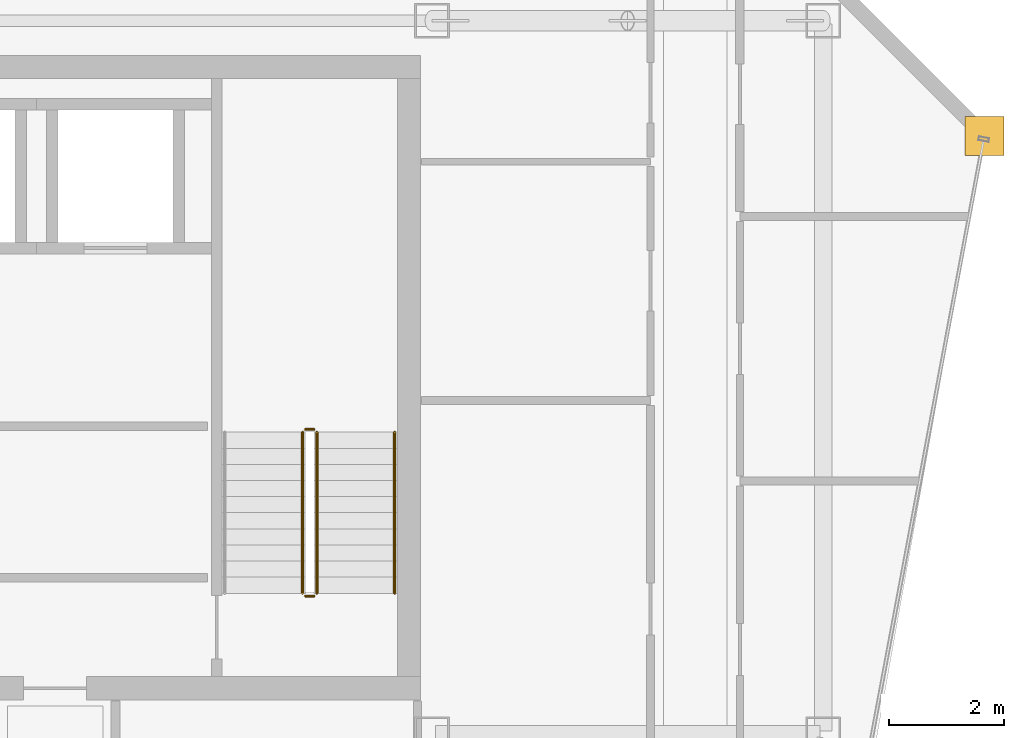
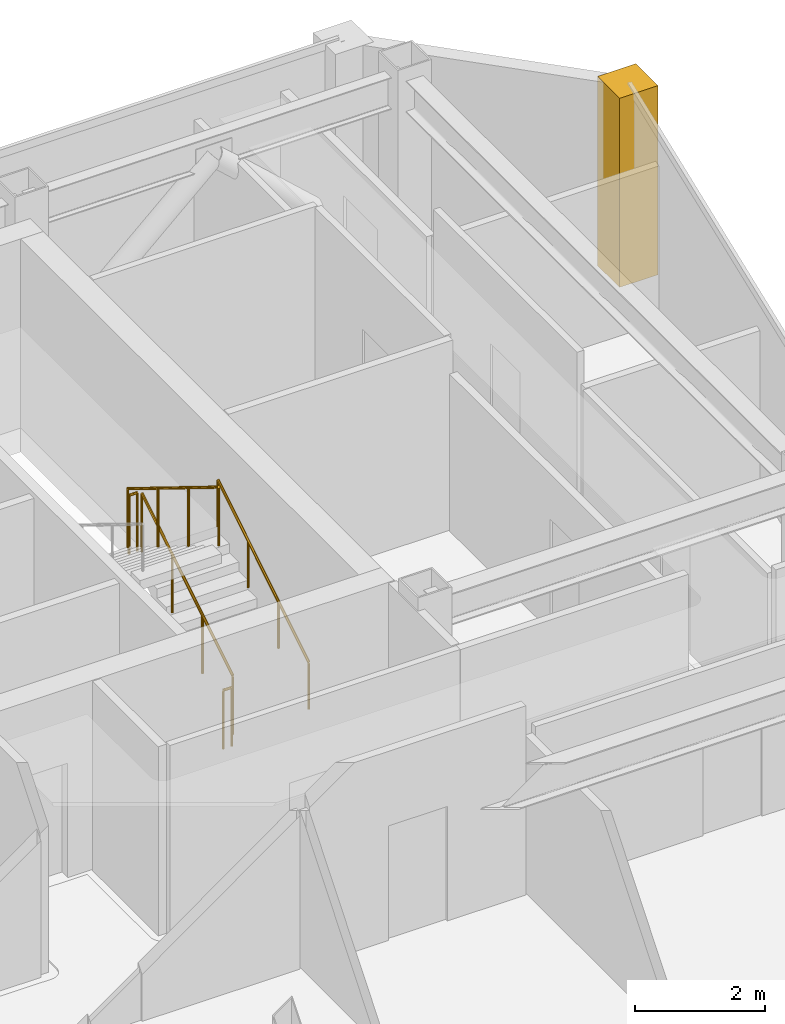
# One storey, part 24 of 25: 5 railings, 1 covering.
"""IFC4 building model written with IfcOpenShell, lengths in metres."""

from ifc_helpers import new_model, si_unit, direction, frame, origin, origin_2d, place, context, subcontext, project, spatial, polyline, circle, outline, extrude, material, layer, layer_set, type_object, element, save


model = new_model("IFC4")

# Units and contexts
model_context = context("Model", 3, precision=1e-05, world=origin(), true_north=direction((0.0, 1.0)))
body_context = subcontext(model_context, "Body", "Model", "MODEL_VIEW")
ifc_project = project(units=[si_unit("LENGTHUNIT", "METRE"), si_unit("AREAUNIT", "SQUARE_METRE"), si_unit("VOLUMEUNIT", "CUBIC_METRE"), si_unit("PLANEANGLEUNIT", "RADIAN"), si_unit("MASSUNIT", "GRAM", prefix="KILO")], contexts=[model_context])

# Site, building, storey
site_placement = place(None, origin())
site = spatial("IfcSite", under=ifc_project, at=site_placement, CompositionType="ELEMENT")
building_placement = place(site_placement, origin())
building = spatial("IfcBuilding", under=site, at=building_placement, Name="Saevonmaru Cultural Tower", CompositionType="ELEMENT")
storey_placement = place(building_placement, frame((0.0, 0.0, 276.199951171875)))
storey = spatial("IfcBuildingStorey", under=building, at=storey_placement, Name="L65", CompositionType="ELEMENT", Elevation=276.199951171875)

# Covering
ifc_material_1 = material(Name="Satin Bronze Anodised Aluminium", Category="aluminium")
ifc_layer = layer(ifc_material_1, 0.679931640625, Name="Satin Bronze Anodised Aluminium")
ifc_layer_set = layer_set([ifc_layer], Name="Satin Bronze Anodised Aluminium")
covering_type = type_object("IfcCoveringType", Name="CV-CORNER-CLAD", PredefinedType="CLADDING", material=ifc_layer_set)
covering_placement = place(storey_placement, origin())
element("IfcCovering", 1, at=covering_placement, inside=storey, type_object=covering_type, Name="L65 Tower Bronze Corner Cladding Pier 9", PredefinedType="CLADDING", context=body_context, shape_type="SweptSolid", body=[
    extrude(outline(polyline([(55.659912109375, 52.4599609375), (56.340087890625, 52.4599609375), (56.340087890625, 53.139892578125), (55.659912109375, 53.139892578125), (55.659912109375, 52.4599609375)])), origin(), (0.0, 0.0, 1.0), 3.550048828125),
])

# Railings
ifc_material_2 = material(Name="Architectural Painted Steel", Category="steel")
railing_type_1 = type_object("IfcRailingType", Name="RL-STAIR-GUARD", PredefinedType="GUARDRAIL", material=ifc_material_2)
railing_1_placement = place(storey_placement, frame((44.39990234375, 44.85009765625, 0.1728515625)))
element("IfcRailing", 2, at=railing_1_placement, inside=storey, type_object=railing_type_1, Name="L65 ST-2 stair guard 1", PredefinedType="GUARDRAIL", context=body_context, shape_type="SweptSolid", body=[
    extrude(circle(Radius=0.02392578125, at=origin_2d()), frame((0.0, 0.0, 1.09619140625), z_axis=(0.0, 0.851069175582, 0.525053576669), x_axis=(-1.0, 0.0, 0.0)), (0.0, 0.0, 1.0), 3.289794921875),
    extrude(circle(Radius=0.02099609375, at=origin_2d()), origin(), (0.0, 0.0, 1.0), 1.072021484375),
    extrude(circle(Radius=0.02099609375, at=origin_2d()), frame((0.0, 0.933349609375, 0.57568359375)), (0.0, 0.0, 1.0), 1.072021484375),
    extrude(circle(Radius=0.02099609375, at=origin_2d()), frame((0.0, 1.866455078125, 1.151611328125)), (0.0, 0.0, 1.0), 1.072021484375),
    extrude(circle(Radius=0.02099609375, at=origin_2d()), frame((0.0, 2.7998046875, 1.727294921875)), (0.0, 0.0, 1.0), 1.072021484375),
])
railing_2_placement = place(storey_placement, frame((44.35009765625, 47.699951171875, 1.900146484375)))
element("IfcRailing", 3, at=railing_2_placement, inside=storey, type_object=railing_type_1, Name="L65 ST-2 stair guard 2", PredefinedType="GUARDRAIL", context=body_context, shape_type="SweptSolid", body=[
    extrude(circle(Radius=0.02392578125, at=origin_2d()), frame((0.0, 0.0, 1.09619140625), z_axis=(-1.0, 0.0, 0.0), x_axis=(0.0, -1.0, 0.0)), (0.0, 0.0, 1.0), 0.150146484375),
    extrude(circle(Radius=0.02099609375, at=origin_2d()), origin(), (0.0, 0.0, 1.0), 1.072021484375),
    extrude(circle(Radius=0.02099609375, at=origin_2d()), frame((-0.150146484375, 0.0, 0.0)), (0.0, 0.0, 1.0), 1.072021484375),
])
railing_3_placement = place(storey_placement, frame((44.14990234375, 47.64990234375, 2.07275390625)))
element("IfcRailing", 4, at=railing_3_placement, inside=storey, type_object=railing_type_1, Name="L65 ST-2 stair guard 3", PredefinedType="GUARDRAIL", context=body_context, shape_type="SweptSolid", body=[
    extrude(circle(Radius=0.02392578125, at=origin_2d()), frame((0.0, 0.0, 1.09619140625), z_axis=(0.0, -0.851069175582, 0.525053576669), x_axis=(1.0, 0.0, 0.0)), (0.0, 0.0, 1.0), 3.289794921875),
    extrude(circle(Radius=0.02099609375, at=origin_2d()), origin(), (0.0, 0.0, 1.0), 1.072021484375),
    extrude(circle(Radius=0.02099609375, at=origin_2d()), frame((0.0, -0.933349609375, 0.57568359375)), (0.0, 0.0, 1.0), 1.072021484375),
    extrude(circle(Radius=0.02099609375, at=origin_2d()), frame((0.0, -1.866455078125, 1.151611328125)), (0.0, 0.0, 1.0), 1.072021484375),
    extrude(circle(Radius=0.02099609375, at=origin_2d()), frame((0.0, -2.7998046875, 1.727294921875)), (0.0, 0.0, 1.0), 1.072021484375),
])
railing_4_placement = place(storey_placement, frame((44.35009765625, 44.800048828125, 0.0)))
element("IfcRailing", 5, at=railing_4_placement, inside=storey, type_object=railing_type_1, Name="L65 ST-2 stair guard 4", PredefinedType="GUARDRAIL", context=body_context, shape_type="SweptSolid", body=[
    extrude(circle(Radius=0.02392578125, at=origin_2d()), frame((0.0, 0.0, 1.09619140625), z_axis=(-1.0, 0.0, 0.0), x_axis=(0.0, -1.0, 0.0)), (0.0, 0.0, 1.0), 0.150146484375),
    extrude(circle(Radius=0.02099609375, at=origin_2d()), origin(), (0.0, 0.0, 1.0), 1.072021484375),
    extrude(circle(Radius=0.02099609375, at=origin_2d()), frame((-0.150146484375, 0.0, 0.0)), (0.0, 0.0, 1.0), 1.072021484375),
])
railing_type_2 = type_object("IfcRailingType", Name="RL-STAIR-HANDRAIL", PredefinedType="HANDRAIL", material=ifc_material_1)
railing_5_placement = place(storey_placement, frame((45.75, 44.85009765625, 0.1728515625)))
element("IfcRailing", 6, at=railing_5_placement, inside=storey, type_object=railing_type_2, Name="L65 ST-2 stair handrail 1", PredefinedType="HANDRAIL", context=body_context, shape_type="SweptSolid", body=[
    extrude(circle(Radius=0.02392578125, at=origin_2d()), frame((0.0, 0.0, 0.8759765625), z_axis=(0.0, 0.851069175582, 0.525053576669), x_axis=(-1.0, 0.0, 0.0)), (0.0, 0.0, 1.0), 3.289794921875),
    extrude(circle(Radius=0.02099609375, at=origin_2d()), origin(), (0.0, 0.0, 1.0), 0.851806640625),
    extrude(circle(Radius=0.02099609375, at=origin_2d()), frame((0.0, 0.933349609375, 0.57568359375)), (0.0, 0.0, 1.0), 0.851806640625),
    extrude(circle(Radius=0.02099609375, at=origin_2d()), frame((0.0, 1.866455078125, 1.151611328125)), (0.0, 0.0, 1.0), 0.851806640625),
    extrude(circle(Radius=0.02099609375, at=origin_2d()), frame((0.0, 2.7998046875, 1.727294921875)), (0.0, 0.0, 1.0), 0.851806640625),
])

save(model, "model.ifc")
